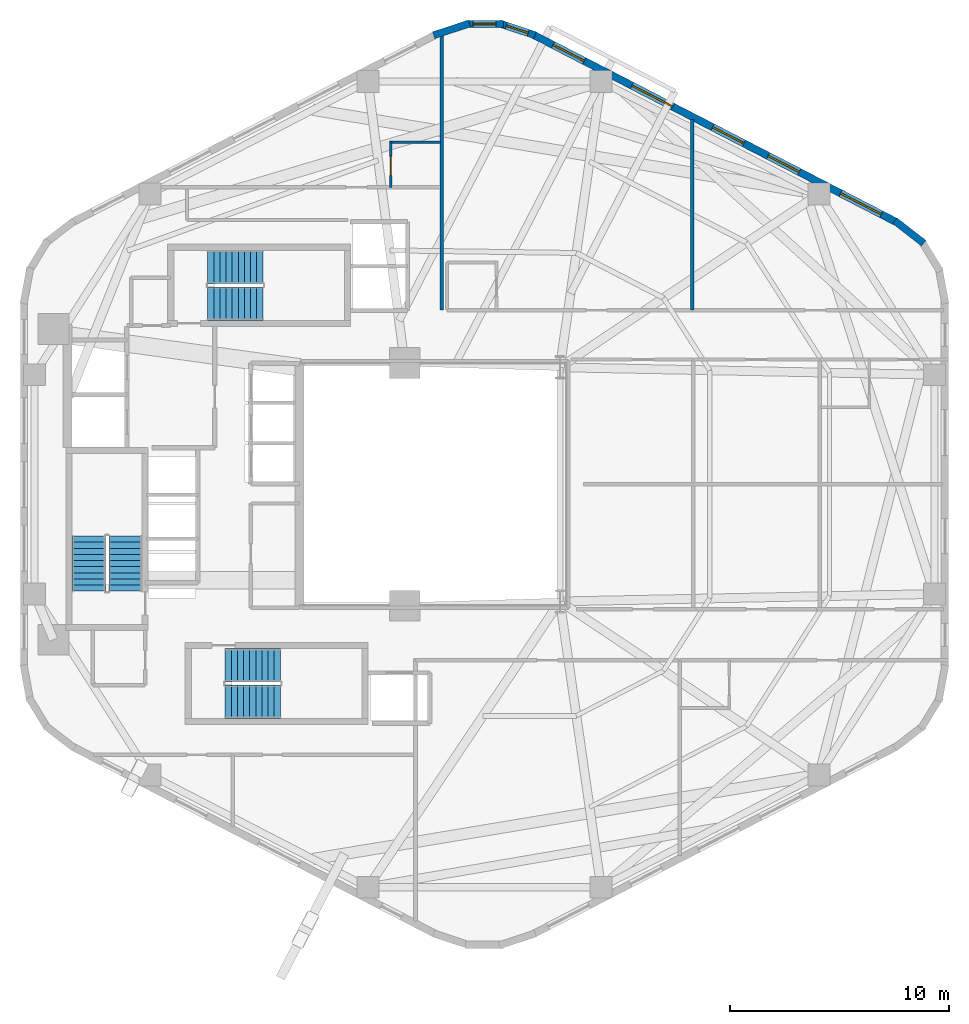
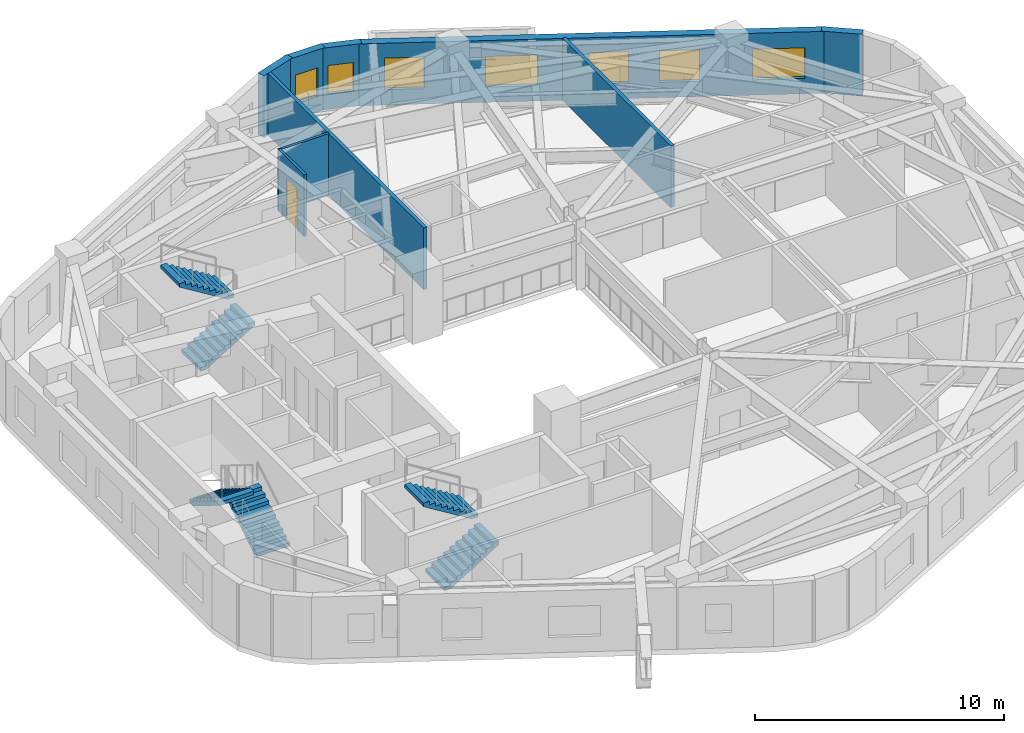
# One storey, part 6 of 7: 9 walls, 7 windows, 6 stair flights, 1 door, 8 openings, 3 elements without a shape of their own.
"""IFC4 building model written with IfcOpenShell, lengths in metres."""

from ifc_helpers import new_model, si_unit, direction, frame, frame_2d, origin, place, context, subcontext, project, spatial, polyline, rectangle, outline, extrude, material, layer, layer_set, type_object, element, fill, aggregate, save


model = new_model("IFC4")

# Units and contexts
model_context = context("Model", 3, precision=1e-05, world=origin(), true_north=direction((0.0, 1.0)))
body_context = subcontext(model_context, "Body", "Model", "MODEL_VIEW")
ifc_project = project(units=[si_unit("LENGTHUNIT", "METRE"), si_unit("AREAUNIT", "SQUARE_METRE"), si_unit("VOLUMEUNIT", "CUBIC_METRE"), si_unit("PLANEANGLEUNIT", "RADIAN"), si_unit("MASSUNIT", "GRAM", prefix="KILO"), si_unit("THERMODYNAMICTEMPERATUREUNIT", "KELVIN"), si_unit("POWERUNIT", "WATT")], contexts=[model_context])

# Site, building, storey
site_placement = place(None, origin())
site = spatial("IfcSite", under=ifc_project, at=site_placement, CompositionType="ELEMENT")
building_placement = place(site_placement, origin())
building = spatial("IfcBuilding", under=site, at=building_placement, Name="Skarre Station Tower", CompositionType="ELEMENT")
storey_placement = place(building_placement, frame((0.0, 0.0, 160.199951171875)))
storey = spatial("IfcBuildingStorey", under=building, at=storey_placement, Name="L43", CompositionType="ELEMENT", Elevation=160.199951171875)

# Wall
ifc_material_1 = material(Name="Insulated Timber-Stud Gypsum Partition", Category="wood")
ifc_layer_1 = layer(ifc_material_1, 0.1201171875, Name="Insulated Timber-Stud Gypsum Partition")
ifc_layer_set_1 = layer_set([ifc_layer_1], Name="Insulated Timber-Stud Gypsum Partition")
wall_type_1 = type_object("IfcWallType", Name="Internal Suite Acoustic Partition 120", PredefinedType="PARTITIONING", material=ifc_layer_set_1)
wall_1_placement = place(storey_placement, frame((34.0, 39.639892578125, 0.0), z_axis=(0.0, 0.0, 1.0), x_axis=(-1.0, 0.0, 0.0)))
element("IfcWall", 1, at=wall_1_placement, inside=storey, type_object=wall_type_1, Name="L43 Interior Partition WL-PT-L43-NWW1-EW3", PredefinedType="PARTITIONING", context=body_context, shape_type="SweptSolid", body=[
    extrude(rectangle(XDim=2.340087890625, YDim=0.1201171875, at=frame_2d((1.169921875, 0.0))), origin(), (0.0, 0.0, 1.0), 3.030029296875),
])

# Wall, opening, door
wall_2_placement = place(storey_placement, frame((31.719970703125, 39.639892578125, 0.0), z_axis=(0.0, 0.0, 1.0), x_axis=(0.0, -1.0, 0.0)))
wall_2 = element("IfcWall", 2, at=wall_2_placement, inside=storey, type_object=wall_type_1, Name="L43 Interior Partition WL-PT-L43-NWW1-EW4", PredefinedType="PARTITIONING", context=body_context, shape_type="SweptSolid", body=[
    extrude(rectangle(XDim=2.059814453125, YDim=0.1201171875, at=frame_2d((1.02978515625, 0.0))), origin(), (0.0, 0.0, 1.0), 3.030029296875),
])
opening_1_placement = place(wall_2_placement, frame((0.64990234375, 0.0, 0.0)))
opening_1 = element("IfcOpeningElement", 3, at=opening_1_placement, cuts=wall_2, Name="Opening DR-INT86", PredefinedType="OPENING", context=body_context, shape_type="SweptSolid", body=[
    extrude(rectangle(XDim=0.860107421875, YDim=2.0, at=frame_2d((0.43017578125, 1.0))), frame((0.0, 0.070068359375, 0.0), z_axis=(0.0, -1.0, 0.0), x_axis=(1.0, 0.0, 0.0)), (0.0, 0.0, 1.0), 0.14013671875),
])
ifc_material_2 = material(Name="Nordic Birch Acoustic Solid-Core Timber Leaf", Category="wood")
door_type = type_object("IfcDoorType", Name="Internal En-Suite & Bedroom Door 860x2100", OperationType="SINGLE_SWING_LEFT", PredefinedType="DOOR", material=ifc_material_2)
door_placement = place(opening_1_placement, origin())
door = element("IfcDoor", 4, at=door_placement, inside=storey, type_object=door_type, Name="L43 NWW1 En-suite Door", OperationType="SINGLE_SWING_RIGHT", OverallHeight=2.0, OverallWidth=0.860107421875, PredefinedType="DOOR", context=body_context, shape_type="SweptSolid", body=[
    extrude(rectangle(XDim=0.860107421875, YDim=2.0, at=frame_2d((0.43017578125, 1.0))), frame((0.0, 0.02490234375, 0.0), z_axis=(0.0, -1.0, 0.0), x_axis=(1.0, 0.0, 0.0)), (0.0, 0.0, 1.0), 0.050048828125),
])
fill(opening_1, door)

# Wall, openings, windows
ifc_material_3 = material(Name="Precast concrete C45/55", Category="concrete")
ifc_layer_2 = layer(ifc_material_3, 0.340087890625, Name="Precast concrete C45/55")
ifc_layer_set_2 = layer_set([ifc_layer_2], Name="Precast concrete C45/55")
wall_type_2 = type_object("IfcWallType", Name="Nordic Honed Precast Facet Wall 340", PredefinedType="STANDARD", material=ifc_layer_set_2)
wall_3_placement = place(storey_placement, frame((38.23095703125, 44.55810546875, 0.0), z_axis=(0.0, 0.0, 1.0), x_axis=(0.888613612362, -0.458656568606, 0.0)))
wall_3 = element("IfcWall", 5, at=wall_3_placement, inside=storey, type_object=wall_type_2, Name="L43 Facet 0 Nordic Precast Masonry Wall", PredefinedType="STANDARD", context=body_context, shape_type="SweptSolid", body=[
    extrude(rectangle(XDim=18.680908203125, YDim=0.340087890625, at=frame_2d((9.34033203125, 0.0))), origin(), (0.0, 0.0, 1.0), 3.030029296875),
])
opening_2_placement = place(wall_3_placement, frame((1.02294921875, 0.0, 0.75)))
opening_2 = element("IfcOpeningElement", 6, at=opening_2_placement, cuts=wall_3, Name="Opening WN-Z2A", PredefinedType="OPENING", context=body_context, shape_type="SweptSolid", body=[
    extrude(rectangle(XDim=1.60009765625, YDim=1.550048828125, at=frame_2d((0.800048828125, 0.77490234375))), frame((0.0, 0.179931640625, 0.0), z_axis=(0.0, -1.0, 0.0), x_axis=(1.0, 0.0, 0.0)), (0.0, 0.0, 1.0), 0.360107421875),
])
opening_3_placement = place(wall_3_placement, frame((5.076904296875, 0.0, 0.75)))
opening_3 = element("IfcOpeningElement", 7, at=opening_3_placement, cuts=wall_3, Name="Opening WN-Z2B", PredefinedType="OPENING", context=body_context, shape_type="SweptSolid", body=[
    extrude(rectangle(XDim=2.10009765625, YDim=1.5, at=frame_2d((1.050048828125, 0.75))), frame((0.0, 0.179931640625, 0.0), z_axis=(0.0, -1.0, 0.0), x_axis=(1.0, 0.0, 0.0)), (0.0, 0.0, 1.0), 0.360107421875),
])
opening_4_placement = place(wall_3_placement, frame((9.22900390625, 0.0, 0.75)))
opening_4 = element("IfcOpeningElement", 8, at=opening_4_placement, cuts=wall_3, Name="Opening WN-Z2A", PredefinedType="OPENING", context=body_context, shape_type="SweptSolid", body=[
    extrude(rectangle(XDim=1.60009765625, YDim=1.550048828125, at=frame_2d((0.800048828125, 0.77490234375))), frame((0.0, 0.179931640625, 0.0), z_axis=(0.0, -1.0, 0.0), x_axis=(1.0, 0.0, 0.0)), (0.0, 0.0, 1.0), 0.360107421875),
])
opening_5_placement = place(wall_3_placement, frame((12.0791015625, 0.0, 0.75)))
opening_5 = element("IfcOpeningElement", 9, at=opening_5_placement, cuts=wall_3, Name="Opening WN-Z2A", PredefinedType="OPENING", context=body_context, shape_type="SweptSolid", body=[
    extrude(rectangle(XDim=1.60009765625, YDim=1.550048828125, at=frame_2d((0.800048828125, 0.77490234375))), frame((0.0, 0.179931640625, 0.0), z_axis=(0.0, -1.0, 0.0), x_axis=(1.0, 0.0, 0.0)), (0.0, 0.0, 1.0), 0.360107421875),
])
opening_6_placement = place(wall_3_placement, frame((15.80810546875, 0.0, 0.75)))
opening_6 = element("IfcOpeningElement", 10, at=opening_6_placement, cuts=wall_3, Name="Opening WN-Z2B", PredefinedType="OPENING", context=body_context, shape_type="SweptSolid", body=[
    extrude(rectangle(XDim=2.10009765625, YDim=1.5, at=frame_2d((1.050048828125, 0.75))), frame((0.0, 0.179931640625, 0.0), z_axis=(0.0, -1.0, 0.0), x_axis=(1.0, 0.0, 0.0)), (0.0, 0.0, 1.0), 0.360107421875),
])
ifc_material_4 = material(Name="Low-Iron Triple Glazing with Bronze Anodized Frame", Category="glass")
window_type_1 = type_object("IfcWindowType", Name="Nordic Residential Tall Window 1600x1550", PartitioningType="SINGLE_PANEL", PredefinedType="WINDOW", material=ifc_material_4)
window_1_placement = place(opening_2_placement, origin())
window_1 = element("IfcWindow", 11, at=window_1_placement, inside=storey, type_object=window_type_1, Name="L43 Facade Window WL-FAC-L43-F0-1", OverallHeight=1.550048828125, OverallWidth=1.60009765625, PartitioningType="SINGLE_PANEL", PredefinedType="WINDOW", context=body_context, shape_type="SweptSolid", body=[
    extrude(rectangle(XDim=1.60009765625, YDim=1.550048828125, at=frame_2d((0.800048828125, 0.77490234375))), frame((0.0, 0.030029296875, 0.0), z_axis=(0.0, -1.0, 0.0), x_axis=(1.0, 0.0, 0.0)), (0.0, 0.0, 1.0), 0.06005859375),
])
fill(opening_2, window_1)
window_2_placement = place(opening_4_placement, origin())
window_2 = element("IfcWindow", 12, at=window_2_placement, inside=storey, type_object=window_type_1, Name="L43 Facade Window WL-FAC-L43-F0-3", OverallHeight=1.550048828125, OverallWidth=1.60009765625, PartitioningType="SINGLE_PANEL", PredefinedType="WINDOW", context=body_context, shape_type="SweptSolid", body=[
    extrude(rectangle(XDim=1.60009765625, YDim=1.550048828125, at=frame_2d((0.800048828125, 0.77490234375))), frame((0.0, 0.030029296875, 0.0), z_axis=(0.0, -1.0, 0.0), x_axis=(1.0, 0.0, 0.0)), (0.0, 0.0, 1.0), 0.06005859375),
])
fill(opening_4, window_2)
window_3_placement = place(opening_5_placement, origin())
window_3 = element("IfcWindow", 13, at=window_3_placement, inside=storey, type_object=window_type_1, Name="L43 Facade Window WL-FAC-L43-F0-4", OverallHeight=1.550048828125, OverallWidth=1.60009765625, PartitioningType="SINGLE_PANEL", PredefinedType="WINDOW", context=body_context, shape_type="SweptSolid", body=[
    extrude(rectangle(XDim=1.60009765625, YDim=1.550048828125, at=frame_2d((0.800048828125, 0.77490234375))), frame((0.0, 0.030029296875, 0.0), z_axis=(0.0, -1.0, 0.0), x_axis=(1.0, 0.0, 0.0)), (0.0, 0.0, 1.0), 0.06005859375),
])
fill(opening_5, window_3)
window_type_2 = type_object("IfcWindowType", Name="Nordic Residential Twin Window 2100x1500", PartitioningType="SINGLE_PANEL", PredefinedType="WINDOW", material=ifc_material_4)
window_4_placement = place(opening_3_placement, origin())
window_4 = element("IfcWindow", 14, at=window_4_placement, inside=storey, type_object=window_type_2, Name="L43 Facade Window WL-FAC-L43-F0-2", OverallHeight=1.5, OverallWidth=2.10009765625, PartitioningType="SINGLE_PANEL", PredefinedType="WINDOW", context=body_context, shape_type="SweptSolid", body=[
    extrude(rectangle(XDim=2.10009765625, YDim=1.5, at=frame_2d((1.050048828125, 0.75))), frame((0.0, 0.030029296875, 0.0), z_axis=(0.0, -1.0, 0.0), x_axis=(1.0, 0.0, 0.0)), (0.0, 0.0, 1.0), 0.06005859375),
])
fill(opening_3, window_4)
window_5_placement = place(opening_6_placement, origin())
window_5 = element("IfcWindow", 15, at=window_5_placement, inside=storey, type_object=window_type_2, Name="L43 Facade Window WL-FAC-L43-F0-5", OverallHeight=1.5, OverallWidth=2.10009765625, PartitioningType="SINGLE_PANEL", PredefinedType="WINDOW", context=body_context, shape_type="SweptSolid", body=[
    extrude(rectangle(XDim=2.10009765625, YDim=1.5, at=frame_2d((1.050048828125, 0.75))), frame((0.0, 0.030029296875, 0.0), z_axis=(0.0, -1.0, 0.0), x_axis=(1.0, 0.0, 0.0)), (0.0, 0.0, 1.0), 0.06005859375),
])
fill(opening_6, window_5)

# Walls
ifc_layer_3 = layer(ifc_material_3, 0.330078125, Name="Precast concrete C45/55")
ifc_layer_set_3 = layer_set([ifc_layer_3], Name="Precast concrete C45/55")
wall_type_3 = type_object("IfcWallType", Name="Nordic Rounded Corner Precast Wall 330", PredefinedType="STANDARD", material=ifc_layer_set_3)
wall_4_placement = place(storey_placement, frame((54.757080078125, 36.050048828125, 0.0), z_axis=(0.0, 0.0, 1.0), x_axis=(0.790621329885, -0.612305408053, 0.0)))
element("IfcWall", 16, at=wall_4_placement, inside=storey, type_object=wall_type_3, Name="L43 Rounded Corner Precast Wall F0-1", PredefinedType="STANDARD", context=body_context, shape_type="SweptSolid", body=[
    extrude(rectangle(XDim=1.67578125, YDim=0.330078125, at=frame_2d((0.837890625, 0.0))), origin(), (0.0, 0.0, 1.0), 3.030029296875),
])
wall_5_placement = place(storey_placement, frame((33.680908203125, 44.531982421875, 0.0), z_axis=(0.0, 0.0, 1.0), x_axis=(0.949937416267, 0.312440242569, 0.0)))
element("IfcWall", 17, at=wall_5_placement, inside=storey, type_object=wall_type_3, Name="L43 Rounded Corner Precast Wall F1-1", PredefinedType="STANDARD", context=body_context, shape_type="SweptSolid", body=[
    extrude(rectangle(XDim=1.72216796875, YDim=0.330078125, at=frame_2d((0.861083984375, 0.0))), origin(), (0.0, 0.0, 1.0), 3.030029296875),
])

# Wall, opening, window
wall_6_placement = place(storey_placement, frame((35.138916015625, 45.041015625, 0.0), z_axis=(0.0, 0.0, 1.0), x_axis=(1.0, 0.0, 0.0)))
wall_6 = element("IfcWall", 18, at=wall_6_placement, inside=storey, type_object=wall_type_3, Name="L43 Rounded Corner Precast Wall F1-2", PredefinedType="STANDARD", context=body_context, shape_type="SweptSolid", body=[
    extrude(rectangle(XDim=1.72216796875, YDim=0.330078125, at=frame_2d((0.861083984375, 0.0))), origin(), (0.0, 0.0, 1.0), 3.030029296875),
])
opening_7_placement = place(wall_6_placement, frame((0.3359375, 0.0, 0.75)))
opening_7 = element("IfcOpeningElement", 19, at=opening_7_placement, cuts=wall_6, Name="Opening WN-SLT", PredefinedType="OPENING", context=body_context, shape_type="SweptSolid", body=[
    extrude(rectangle(XDim=1.050048828125, YDim=1.39990234375, at=frame_2d((0.52490234375, 0.699951171875))), frame((0.0, 0.175048828125, 0.0), z_axis=(0.0, -1.0, 0.0), x_axis=(1.0, 0.0, 0.0)), (0.0, 0.0, 1.0), 0.35009765625),
])
window_type_3 = type_object("IfcWindowType", Name="Nordic Corner Slot Window 1050x1400", PartitioningType="SINGLE_PANEL", PredefinedType="WINDOW", material=ifc_material_4)
window_6_placement = place(opening_7_placement, origin())
window_6 = element("IfcWindow", 20, at=window_6_placement, inside=storey, type_object=window_type_3, Name="L43 Apex Corner Slot Window F1-2", OverallHeight=1.39990234375, OverallWidth=1.050048828125, PartitioningType="SINGLE_PANEL", PredefinedType="WINDOW", context=body_context, shape_type="SweptSolid", body=[
    extrude(rectangle(XDim=1.050048828125, YDim=1.39990234375, at=frame_2d((0.52490234375, 0.699951171875))), frame((0.0, 0.030029296875, 0.0), z_axis=(0.0, -1.0, 0.0), x_axis=(1.0, 0.0, 0.0)), (0.0, 0.0, 1.0), 0.06005859375),
])
fill(opening_7, window_6)

wall_7_placement = place(storey_placement, frame((36.68310546875, 45.070068359375, 0.0), z_axis=(0.0, 0.0, 1.0), x_axis=(0.949937416267, -0.312440242569, 0.0)))
wall_7 = element("IfcWall", 21, at=wall_7_placement, inside=storey, type_object=wall_type_3, Name="L43 Rounded Corner Precast Wall F1-3", PredefinedType="STANDARD", context=body_context, shape_type="SweptSolid", body=[
    extrude(rectangle(XDim=1.72216796875, YDim=0.330078125, at=frame_2d((0.861083984375, 0.0))), origin(), (0.0, 0.0, 1.0), 3.030029296875),
])
opening_8_placement = place(wall_7_placement, frame((0.3359375, 0.0, 0.75)))
opening_8 = element("IfcOpeningElement", 22, at=opening_8_placement, cuts=wall_7, Name="Opening WN-SLT", PredefinedType="OPENING", context=body_context, shape_type="SweptSolid", body=[
    extrude(rectangle(XDim=1.050048828125, YDim=1.39990234375, at=frame_2d((0.52490234375, 0.699951171875))), frame((0.0, 0.175048828125, 0.0), z_axis=(0.0, -1.0, 0.0), x_axis=(1.0, 0.0, 0.0)), (0.0, 0.0, 1.0), 0.35009765625),
])
window_7_placement = place(opening_8_placement, origin())
window_7 = element("IfcWindow", 23, at=window_7_placement, inside=storey, type_object=window_type_3, Name="L43 Apex Corner Slot Window F1-3", OverallHeight=1.39990234375, OverallWidth=1.050048828125, PartitioningType="SINGLE_PANEL", PredefinedType="WINDOW", context=body_context, shape_type="SweptSolid", body=[
    extrude(rectangle(XDim=1.050048828125, YDim=1.39990234375, at=frame_2d((0.52490234375, 0.699951171875))), frame((0.0, 0.030029296875, 0.0), z_axis=(0.0, -1.0, 0.0), x_axis=(1.0, 0.0, 0.0)), (0.0, 0.0, 1.0), 0.06005859375),
])
fill(opening_8, window_7)

# Walls
ifc_material_5 = material(Name="Acoustic Steel-Stud Gypsum Partition", Category="steel")
ifc_layer_4 = layer(ifc_material_5, 0.1650390625, Name="Acoustic Steel-Stud Gypsum Partition")
ifc_layer_set_4 = layer_set([ifc_layer_4], Name="Acoustic Steel-Stud Gypsum Partition")
wall_type_4 = type_object("IfcWallType", Name="Suite Demising Acoustic Partition 165", PredefinedType="PARTITIONING", material=ifc_layer_set_4)
wall_8_placement = place(storey_placement, frame((34.0400390625, 31.9599609375, 0.0), z_axis=(0.0, 0.0, 1.0), x_axis=(0.0, 1.0, 0.0)))
element("IfcWall", 24, at=wall_8_placement, inside=storey, type_object=wall_type_4, Name="L43 Interior Partition WL-PT-L43-NW-WBND", PredefinedType="PARTITIONING", context=body_context, shape_type="SweptSolid", body=[
    extrude(rectangle(XDim=12.55810546875, YDim=0.1650390625, at=frame_2d((6.279052734375, 0.0))), origin(), (0.0, 0.0, 1.0), 3.030029296875),
])
wall_9_placement = place(storey_placement, frame((45.4990234375, 31.969970703125, 0.0), z_axis=(0.0, 0.0, 1.0), x_axis=(0.0, 1.0, 0.0)))
element("IfcWall", 25, at=wall_9_placement, inside=storey, type_object=wall_type_4, Name="L43 Interior Partition WL-PT-L43-NW-P1", PredefinedType="PARTITIONING", context=body_context, shape_type="SweptSolid", body=[
    extrude(rectangle(XDim=8.7021484375, YDim=0.1650390625, at=frame_2d((4.35107421875, 0.0))), origin(), (0.0, 0.0, 1.0), 3.030029296875),
])

# Stair, stair flights
ifc_material_6 = material(Name="Concrete C40/50", Category="concrete")
stair_type_1 = type_object("IfcStairType", Name="Reinforced Concrete Exit Stair ST-1", PredefinedType="HALF_TURN_STAIR", material=ifc_material_6)
stair_1_placement = place(storey_placement, origin())
stair_1 = element("IfcStair", 26, at=stair_1_placement, inside=storey, type_object=stair_type_1, Name="L43 Core Exit Stair ST-1", PredefinedType="HALF_TURN_STAIR")
stair_flight_type_1 = type_object("IfcStairFlightType", Name="Reinforced Concrete Stair Flight ST-1", PredefinedType="STRAIGHT", material=ifc_material_6)
stair_flight_1_placement = place(storey_placement, frame((19.590087890625, 19.1201171875, 0.0), z_axis=(0.0, 0.0, 1.0), x_axis=(0.0, 1.0, 0.0)))
stair_flight_1 = element("IfcStairFlight", 27, at=stair_flight_1_placement, type_object=stair_flight_type_1, Name="ST-1 flight 1", NumberOfRisers=10, NumberOfTreads=9, PredefinedType="STRAIGHT", RiserHeight=0.1725, TreadLength=0.28, context=body_context, shape_type="SweptSolid", body=[
    extrude(outline(polyline([(0.0, 0.0), (0.0, 0.172607421875), (0.280029296875, 0.172607421875), (0.280029296875, 0.344970703125), (0.56005859375, 0.344970703125), (0.56005859375, 0.517578125), (0.840087890625, 0.517578125), (0.840087890625, 0.68994140625), (1.1201171875, 0.68994140625), (1.1201171875, 0.862548828125), (1.39990234375, 0.862548828125), (1.39990234375, 1.034912109375), (1.679931640625, 1.034912109375), (1.679931640625, 1.20751953125), (1.9599609375, 1.20751953125), (1.9599609375, 1.3798828125), (2.239990234375, 1.3798828125), (2.239990234375, 1.552490234375), (2.52001953125, 1.552490234375), (2.52001953125, 1.72509765625), (2.52001953125, 1.37646484375), (0.285888671875, 0.0), (0.0, 0.0)])), frame((0.0, 0.760009765625, 0.0), z_axis=(0.0, -1.0, 0.0), x_axis=(1.0, 0.0, 0.0)), (0.0, 0.0, 1.0), 1.52001953125),
])
stair_flight_2_placement = place(storey_placement, frame((17.909912109375, 21.639892578125, 1.72509765625), z_axis=(0.0, 0.0, 1.0), x_axis=(0.0, -1.0, 0.0)))
stair_flight_2 = element("IfcStairFlight", 28, at=stair_flight_2_placement, type_object=stair_flight_type_1, Name="ST-1 flight 2", NumberOfRisers=10, NumberOfTreads=9, PredefinedType="STRAIGHT", RiserHeight=0.1725, TreadLength=0.28, context=body_context, shape_type="SweptSolid", body=[
    extrude(outline(polyline([(0.0, 0.0), (0.0, 0.172607421875), (0.280029296875, 0.172607421875), (0.280029296875, 0.344970703125), (0.56005859375, 0.344970703125), (0.56005859375, 0.517578125), (0.840087890625, 0.517578125), (0.840087890625, 0.68994140625), (1.1201171875, 0.68994140625), (1.1201171875, 0.862548828125), (1.39990234375, 0.862548828125), (1.39990234375, 1.034912109375), (1.679931640625, 1.034912109375), (1.679931640625, 1.20751953125), (1.9599609375, 1.20751953125), (1.9599609375, 1.3798828125), (2.239990234375, 1.3798828125), (2.239990234375, 1.552490234375), (2.52001953125, 1.552490234375), (2.52001953125, 1.72509765625), (2.52001953125, 1.37646484375), (0.285888671875, 0.0), (0.0, 0.0)])), frame((0.0, 0.760009765625, 0.0), z_axis=(0.0, -1.0, 0.0), x_axis=(1.0, 0.0, 0.0)), (0.0, 0.0, 1.0), 1.52001953125),
])
aggregate(stair_1, [stair_flight_1, stair_flight_2])

stair_type_2 = type_object("IfcStairType", Name="Reinforced Concrete Exit Stair ST-2", PredefinedType="HALF_TURN_STAIR", material=ifc_material_6)
stair_2_placement = place(storey_placement, origin())
stair_2 = element("IfcStair", 29, at=stair_2_placement, inside=storey, type_object=stair_type_2, Name="L43 Core Exit Stair ST-2", PredefinedType="HALF_TURN_STAIR")
stair_flight_type_2 = type_object("IfcStairFlightType", Name="Reinforced Concrete Stair Flight ST-2", PredefinedType="STRAIGHT", material=ifc_material_6)
stair_flight_3_placement = place(storey_placement, frame((24.14990234375, 14.06005859375, 0.0), z_axis=(0.0, 0.0, 1.0), x_axis=(1.0, 0.0, 0.0)))
stair_flight_3 = element("IfcStairFlight", 30, at=stair_flight_3_placement, type_object=stair_flight_type_2, Name="ST-2 flight 1", NumberOfRisers=10, NumberOfTreads=9, PredefinedType="STRAIGHT", RiserHeight=0.1725, TreadLength=0.28, context=body_context, shape_type="SweptSolid", body=[
    extrude(outline(polyline([(0.0, 0.0), (0.0, 0.172607421875), (0.280029296875, 0.172607421875), (0.280029296875, 0.344970703125), (0.56005859375, 0.344970703125), (0.56005859375, 0.517578125), (0.840087890625, 0.517578125), (0.840087890625, 0.68994140625), (1.1201171875, 0.68994140625), (1.1201171875, 0.862548828125), (1.39990234375, 0.862548828125), (1.39990234375, 1.034912109375), (1.679931640625, 1.034912109375), (1.679931640625, 1.20751953125), (1.9599609375, 1.20751953125), (1.9599609375, 1.3798828125), (2.239990234375, 1.3798828125), (2.239990234375, 1.552490234375), (2.52001953125, 1.552490234375), (2.52001953125, 1.72509765625), (2.52001953125, 1.37646484375), (0.285888671875, 0.0), (0.0, 0.0)])), frame((0.0, 0.760009765625, 0.0), z_axis=(0.0, -1.0, 0.0), x_axis=(1.0, 0.0, 0.0)), (0.0, 0.0, 1.0), 1.52001953125),
])
stair_flight_4_placement = place(storey_placement, frame((26.669921875, 15.739990234375, 1.72509765625), z_axis=(0.0, 0.0, 1.0), x_axis=(-1.0, 0.0, 0.0)))
stair_flight_4 = element("IfcStairFlight", 31, at=stair_flight_4_placement, type_object=stair_flight_type_2, Name="ST-2 flight 2", NumberOfRisers=10, NumberOfTreads=9, PredefinedType="STRAIGHT", RiserHeight=0.1725, TreadLength=0.28, context=body_context, shape_type="SweptSolid", body=[
    extrude(outline(polyline([(0.0, 0.0), (0.0, 0.172607421875), (0.280029296875, 0.172607421875), (0.280029296875, 0.344970703125), (0.56005859375, 0.344970703125), (0.56005859375, 0.517578125), (0.840087890625, 0.517578125), (0.840087890625, 0.68994140625), (1.1201171875, 0.68994140625), (1.1201171875, 0.862548828125), (1.39990234375, 0.862548828125), (1.39990234375, 1.034912109375), (1.679931640625, 1.034912109375), (1.679931640625, 1.20751953125), (1.9599609375, 1.20751953125), (1.9599609375, 1.3798828125), (2.239990234375, 1.3798828125), (2.239990234375, 1.552490234375), (2.52001953125, 1.552490234375), (2.52001953125, 1.72509765625), (2.52001953125, 1.37646484375), (0.285888671875, 0.0), (0.0, 0.0)])), frame((0.0, 0.760009765625, 0.0), z_axis=(0.0, -1.0, 0.0), x_axis=(1.0, 0.0, 0.0)), (0.0, 0.0, 1.0), 1.52001953125),
])
aggregate(stair_2, [stair_flight_3, stair_flight_4])

stair_type_3 = type_object("IfcStairType", Name="Reinforced Concrete Exit Stair ST-3", PredefinedType="HALF_TURN_STAIR", material=ifc_material_6)
stair_3_placement = place(storey_placement, origin())
stair_3 = element("IfcStair", 32, at=stair_3_placement, inside=storey, type_object=stair_type_3, Name="L43 Core Exit Stair ST-3", PredefinedType="HALF_TURN_STAIR")
stair_flight_type_3 = type_object("IfcStairFlightType", Name="Reinforced Concrete Stair Flight ST-3", PredefinedType="STRAIGHT", material=ifc_material_6)
stair_flight_5_placement = place(storey_placement, frame((23.35009765625, 32.260009765625, 0.0), z_axis=(0.0, 0.0, 1.0), x_axis=(1.0, 0.0, 0.0)))
stair_flight_5 = element("IfcStairFlight", 33, at=stair_flight_5_placement, type_object=stair_flight_type_3, Name="ST-3 flight 1", NumberOfRisers=10, NumberOfTreads=9, PredefinedType="STRAIGHT", RiserHeight=0.1725, TreadLength=0.28, context=body_context, shape_type="SweptSolid", body=[
    extrude(outline(polyline([(0.0, 0.0), (0.0, 0.172607421875), (0.280029296875, 0.172607421875), (0.280029296875, 0.344970703125), (0.56005859375, 0.344970703125), (0.56005859375, 0.517578125), (0.840087890625, 0.517578125), (0.840087890625, 0.68994140625), (1.1201171875, 0.68994140625), (1.1201171875, 0.862548828125), (1.39990234375, 0.862548828125), (1.39990234375, 1.034912109375), (1.679931640625, 1.034912109375), (1.679931640625, 1.20751953125), (1.9599609375, 1.20751953125), (1.9599609375, 1.3798828125), (2.239990234375, 1.3798828125), (2.239990234375, 1.552490234375), (2.52001953125, 1.552490234375), (2.52001953125, 1.72509765625), (2.52001953125, 1.37646484375), (0.285888671875, 0.0), (0.0, 0.0)])), frame((0.0, 0.760009765625, 0.0), z_axis=(0.0, -1.0, 0.0), x_axis=(1.0, 0.0, 0.0)), (0.0, 0.0, 1.0), 1.52001953125),
])
stair_flight_6_placement = place(storey_placement, frame((25.8701171875, 33.93994140625, 1.72509765625), z_axis=(0.0, 0.0, 1.0), x_axis=(-1.0, 0.0, 0.0)))
stair_flight_6 = element("IfcStairFlight", 34, at=stair_flight_6_placement, type_object=stair_flight_type_3, Name="ST-3 flight 2", NumberOfRisers=10, NumberOfTreads=9, PredefinedType="STRAIGHT", RiserHeight=0.1725, TreadLength=0.28, context=body_context, shape_type="SweptSolid", body=[
    extrude(outline(polyline([(0.0, 0.0), (0.0, 0.172607421875), (0.280029296875, 0.172607421875), (0.280029296875, 0.344970703125), (0.56005859375, 0.344970703125), (0.56005859375, 0.517578125), (0.840087890625, 0.517578125), (0.840087890625, 0.68994140625), (1.1201171875, 0.68994140625), (1.1201171875, 0.862548828125), (1.39990234375, 0.862548828125), (1.39990234375, 1.034912109375), (1.679931640625, 1.034912109375), (1.679931640625, 1.20751953125), (1.9599609375, 1.20751953125), (1.9599609375, 1.3798828125), (2.239990234375, 1.3798828125), (2.239990234375, 1.552490234375), (2.52001953125, 1.552490234375), (2.52001953125, 1.72509765625), (2.52001953125, 1.37646484375), (0.285888671875, 0.0), (0.0, 0.0)])), frame((0.0, 0.760009765625, 0.0), z_axis=(0.0, -1.0, 0.0), x_axis=(1.0, 0.0, 0.0)), (0.0, 0.0, 1.0), 1.52001953125),
])
aggregate(stair_3, [stair_flight_5, stair_flight_6])

save(model, "model.ifc")
